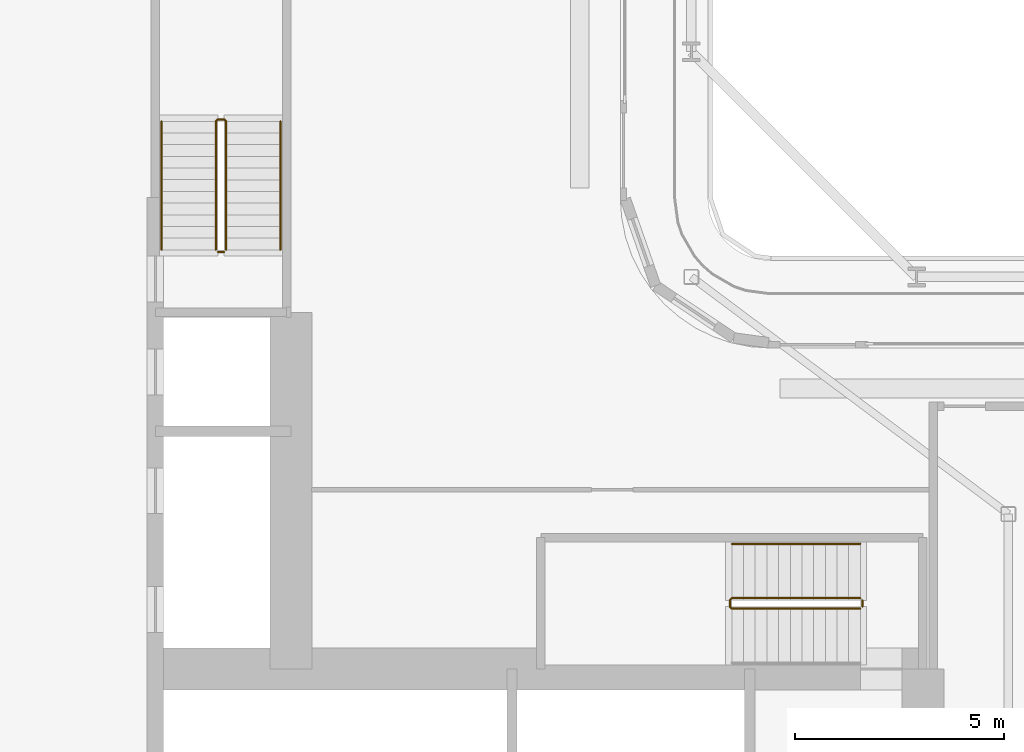
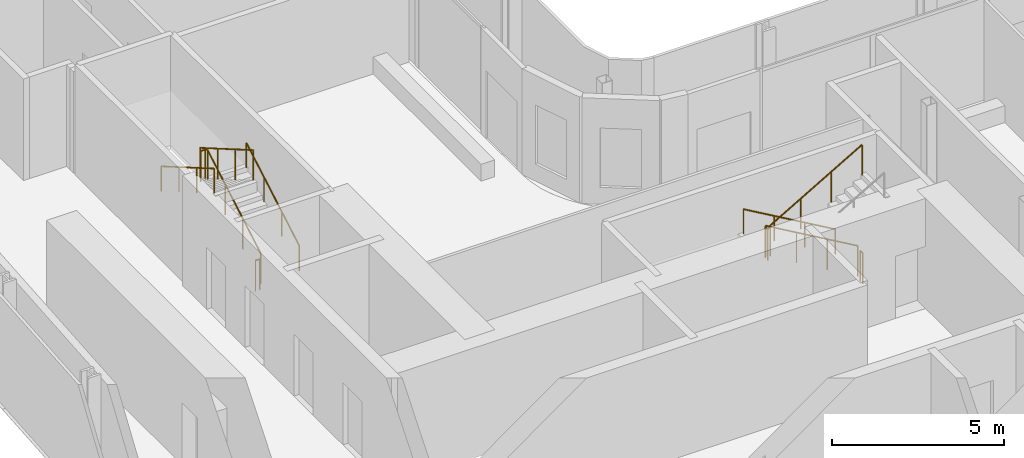
# One storey, part 22 of 27: 7 railings.
"""IFC4 building model written with IfcOpenShell, lengths in metres."""

from ifc_helpers import new_model, si_unit, direction, frame, origin, origin_2d, place, context, subcontext, project, spatial, circle, extrude, material, type_object, element, save


model = new_model("IFC4")

# Units and contexts
model_context = context("Model", 3, precision=1e-05, world=origin(), true_north=direction((0.0, 1.0)))
body_context = subcontext(model_context, "Body", "Model", "MODEL_VIEW")
ifc_project = project(units=[si_unit("LENGTHUNIT", "METRE"), si_unit("AREAUNIT", "SQUARE_METRE"), si_unit("VOLUMEUNIT", "CUBIC_METRE"), si_unit("PLANEANGLEUNIT", "RADIAN"), si_unit("MASSUNIT", "GRAM", prefix="KILO")], contexts=[model_context])

# Site, building, storey
site_placement = place(None, origin())
site = spatial("IfcSite", under=ifc_project, at=site_placement, CompositionType="ELEMENT")
building_placement = place(site_placement, origin())
building = spatial("IfcBuilding", under=site, at=building_placement, Name="Kheshtan School and Residences Tower", CompositionType="ELEMENT")
storey_placement = place(building_placement, frame((0.0, 0.0, 53.89990234375)))
storey = spatial("IfcBuildingStorey", under=building, at=storey_placement, Name="L12", CompositionType="ELEMENT", Elevation=53.89990234375)

# Railings
ifc_material_1 = material(Name="Stainless steel balustrade", Category="steel")
railing_type_1 = type_object("IfcRailingType", Name="Stair guard 1100", PredefinedType="GUARDRAIL", material=ifc_material_1)
railing_1_placement = place(storey_placement, frame((51.64990234375, 37.89990234375, 0.16259765625)))
element("IfcRailing", 1, at=railing_1_placement, inside=storey, type_object=railing_type_1, Name="L12 ST1 stair guard 1", PredefinedType="GUARDRAIL", context=body_context, shape_type="SweptSolid", body=[
    extrude(circle(Radius=0.02392578125, at=origin_2d()), frame((0.0, 0.0, 1.076171875), z_axis=(-0.864873446163, 0.0, 0.501989962173), x_axis=(0.0, -1.0, 0.0)), (0.0, 0.0, 1.0), 3.56103515625),
    extrude(circle(Radius=0.02392578125, at=origin_2d()), frame((-3.079833984375, 0.0, 2.86376953125), z_axis=(-0.708833529934, -0.705375805398, 0.0), x_axis=(0.705375805398, -0.708833529934, 0.0)), (0.0, 0.0, 1.0), 0.070556640625),
    extrude(circle(Radius=0.02392578125, at=origin_2d()), frame((-3.1298828125, -0.0498046875, 2.86376953125), z_axis=(0.0, -1.0, 0.0), x_axis=(1.0, 0.0, 0.0)), (0.0, 0.0, 1.0), 0.150146484375),
    extrude(circle(Radius=0.02392578125, at=origin_2d()), frame((-3.1298828125, -0.199951171875, 2.86376953125), z_axis=(0.282583949758, -0.282583949758, 0.916674763849), x_axis=(0.707106781187, 0.707106781187, 0.0)), (0.0, 0.0, 1.0), 0.177001953125),
    extrude(circle(Radius=0.02392578125, at=origin_2d()), frame((-3.079833984375, -0.25, 3.02587890625), z_axis=(0.864873446163, 0.0, 0.501989962173), x_axis=(0.0, 1.0, 0.0)), (0.0, 0.0, 1.0), 3.56103515625),
    extrude(circle(Radius=0.02099609375, at=origin_2d()), origin(), (0.0, 0.0, 1.0), 1.052001953125),
    extrude(circle(Radius=0.02099609375, at=origin_2d()), frame((-1.026611328125, 0.0, 0.595947265625)), (0.0, 0.0, 1.0), 1.052001953125),
    extrude(circle(Radius=0.02099609375, at=origin_2d()), frame((-2.05322265625, 0.0, 1.191650390625)), (0.0, 0.0, 1.0), 1.052001953125),
    extrude(circle(Radius=0.02099609375, at=origin_2d()), frame((-3.079833984375, 0.0, 1.78759765625)), (0.0, 0.0, 1.0), 1.052001953125),
    extrude(circle(Radius=0.02099609375, at=origin_2d()), frame((-3.1298828125, -0.0498046875, 1.78759765625)), (0.0, 0.0, 1.0), 1.052001953125),
    extrude(circle(Radius=0.02099609375, at=origin_2d()), frame((-3.1298828125, -0.199951171875, 1.78759765625)), (0.0, 0.0, 1.0), 1.052001953125),
    extrude(circle(Radius=0.02099609375, at=origin_2d()), frame((-3.079833984375, -0.25, 1.949951171875)), (0.0, 0.0, 1.0), 1.052001953125),
    extrude(circle(Radius=0.02099609375, at=origin_2d()), frame((-2.05322265625, -0.25, 2.5458984375)), (0.0, 0.0, 1.0), 1.052001953125),
    extrude(circle(Radius=0.02099609375, at=origin_2d()), frame((-1.026611328125, -0.25, 3.1416015625)), (0.0, 0.0, 1.0), 1.052001953125),
    extrude(circle(Radius=0.02099609375, at=origin_2d()), frame((0.0, -0.25, 3.737548828125)), (0.0, 0.0, 1.0), 1.052001953125),
])
railing_2_placement = place(storey_placement, frame((51.699951171875, 37.85009765625, 0.0)))
element("IfcRailing", 2, at=railing_2_placement, inside=storey, type_object=railing_type_1, Name="L12 ST1 stair guard 2", PredefinedType="GUARDRAIL", context=body_context, shape_type="SweptSolid", body=[
    extrude(circle(Radius=0.02392578125, at=origin_2d()), frame((0.0, 0.0, 1.076171875), z_axis=(0.0, -1.0, 0.0), x_axis=(1.0, 0.0, 0.0)), (0.0, 0.0, 1.0), 0.150146484375),
    extrude(circle(Radius=0.02099609375, at=origin_2d()), origin(), (0.0, 0.0, 1.0), 1.052001953125),
    extrude(circle(Radius=0.02099609375, at=origin_2d()), frame((0.0, -0.150146484375, 0.0)), (0.0, 0.0, 1.0), 1.052001953125),
])
railing_3_placement = place(storey_placement, frame((36.449951171875, 46.25, 0.16259765625)))
element("IfcRailing", 3, at=railing_3_placement, inside=storey, type_object=railing_type_1, Name="L12 ST2 stair guard 1", PredefinedType="GUARDRAIL", context=body_context, shape_type="SweptSolid", body=[
    extrude(circle(Radius=0.02392578125, at=origin_2d()), frame((0.0, 0.0, 1.076171875), z_axis=(0.0, 0.864890721111, 0.501960198159), x_axis=(-1.0, 0.0, 0.0)), (0.0, 0.0, 1.0), 3.561279296875),
    extrude(circle(Radius=0.02392578125, at=origin_2d()), frame((0.0, 3.080078125, 2.86376953125), z_axis=(-0.708833529934, 0.705375805398, 0.0), x_axis=(-0.705375805398, -0.708833529934, 0.0)), (0.0, 0.0, 1.0), 0.070556640625),
    extrude(circle(Radius=0.02392578125, at=origin_2d()), frame((-0.050048828125, 3.1298828125, 2.86376953125), z_axis=(-1.0, 0.0, 0.0), x_axis=(0.0, -1.0, 0.0)), (0.0, 0.0, 1.0), 0.14990234375),
    extrude(circle(Radius=0.02392578125, at=origin_2d()), frame((-0.199951171875, 3.1298828125, 2.86376953125), z_axis=(-0.282693820306, -0.281314826061, 0.917031173188), x_axis=(0.705375805398, -0.708833529934, 0.0)), (0.0, 0.0, 1.0), 0.177001953125),
    extrude(circle(Radius=0.02392578125, at=origin_2d()), frame((-0.25, 3.080078125, 3.02587890625), z_axis=(0.0, -0.864890721111, 0.501960198159), x_axis=(1.0, 0.0, 0.0)), (0.0, 0.0, 1.0), 3.561279296875),
    extrude(circle(Radius=0.02099609375, at=origin_2d()), origin(), (0.0, 0.0, 1.0), 1.052001953125),
    extrude(circle(Radius=0.02099609375, at=origin_2d()), frame((0.0, 1.026611328125, 0.595947265625)), (0.0, 0.0, 1.0), 1.052001953125),
    extrude(circle(Radius=0.02099609375, at=origin_2d()), frame((0.0, 2.053466796875, 1.191650390625)), (0.0, 0.0, 1.0), 1.052001953125),
    extrude(circle(Radius=0.02099609375, at=origin_2d()), frame((0.0, 3.080078125, 1.78759765625)), (0.0, 0.0, 1.0), 1.052001953125),
    extrude(circle(Radius=0.02099609375, at=origin_2d()), frame((-0.050048828125, 3.1298828125, 1.78759765625)), (0.0, 0.0, 1.0), 1.052001953125),
    extrude(circle(Radius=0.02099609375, at=origin_2d()), frame((-0.199951171875, 3.1298828125, 1.78759765625)), (0.0, 0.0, 1.0), 1.052001953125),
    extrude(circle(Radius=0.02099609375, at=origin_2d()), frame((-0.25, 3.080078125, 1.949951171875)), (0.0, 0.0, 1.0), 1.052001953125),
    extrude(circle(Radius=0.02099609375, at=origin_2d()), frame((-0.25, 2.053466796875, 2.5458984375)), (0.0, 0.0, 1.0), 1.052001953125),
    extrude(circle(Radius=0.02099609375, at=origin_2d()), frame((-0.25, 1.026611328125, 3.1416015625)), (0.0, 0.0, 1.0), 1.052001953125),
    extrude(circle(Radius=0.02099609375, at=origin_2d()), frame((-0.25, 0.0, 3.737548828125)), (0.0, 0.0, 1.0), 1.052001953125),
])
railing_4_placement = place(storey_placement, frame((36.39990234375, 46.199951171875, 0.0)))
element("IfcRailing", 4, at=railing_4_placement, inside=storey, type_object=railing_type_1, Name="L12 ST2 stair guard 2", PredefinedType="GUARDRAIL", context=body_context, shape_type="SweptSolid", body=[
    extrude(circle(Radius=0.02392578125, at=origin_2d()), frame((0.0, 0.0, 1.076171875), z_axis=(-1.0, 0.0, 0.0), x_axis=(0.0, -1.0, 0.0)), (0.0, 0.0, 1.0), 0.14990234375),
    extrude(circle(Radius=0.02099609375, at=origin_2d()), origin(), (0.0, 0.0, 1.0), 1.052001953125),
    extrude(circle(Radius=0.02099609375, at=origin_2d()), frame((-0.14990234375, 0.0, 0.0)), (0.0, 0.0, 1.0), 1.052001953125),
])
ifc_material_2 = material(Name="Stainless steel handrail", Category="steel")
railing_type_2 = type_object("IfcRailingType", Name="Stair handrail 900", PredefinedType="HANDRAIL", material=ifc_material_2)
railing_5_placement = place(storey_placement, frame((51.64990234375, 39.199951171875, 0.16259765625)))
element("IfcRailing", 5, at=railing_5_placement, inside=storey, type_object=railing_type_2, Name="L12 ST1 stair handrail 1", PredefinedType="HANDRAIL", context=body_context, shape_type="SweptSolid", body=[
    extrude(circle(Radius=0.02392578125, at=origin_2d()), frame((0.0, 0.0, 0.8759765625), z_axis=(-0.864873446163, 0.0, 0.501989962173), x_axis=(0.0, -1.0, 0.0)), (0.0, 0.0, 1.0), 3.56103515625),
    extrude(circle(Radius=0.02099609375, at=origin_2d()), origin(), (0.0, 0.0, 1.0), 0.851806640625),
    extrude(circle(Radius=0.02099609375, at=origin_2d()), frame((-1.026611328125, 0.0, 0.595947265625)), (0.0, 0.0, 1.0), 0.851806640625),
    extrude(circle(Radius=0.02099609375, at=origin_2d()), frame((-2.05322265625, 0.0, 1.191650390625)), (0.0, 0.0, 1.0), 0.851806640625),
    extrude(circle(Radius=0.02099609375, at=origin_2d()), frame((-3.079833984375, 0.0, 1.78759765625)), (0.0, 0.0, 1.0), 0.851806640625),
])
railing_6_placement = place(storey_placement, frame((37.75, 46.25, 0.16259765625)))
element("IfcRailing", 6, at=railing_6_placement, inside=storey, type_object=railing_type_2, Name="L12 ST2 stair handrail 1", PredefinedType="HANDRAIL", context=body_context, shape_type="SweptSolid", body=[
    extrude(circle(Radius=0.02392578125, at=origin_2d()), frame((0.0, 0.0, 0.8759765625), z_axis=(0.0, 0.864890721111, 0.501960198159), x_axis=(-1.0, 0.0, 0.0)), (0.0, 0.0, 1.0), 3.561279296875),
    extrude(circle(Radius=0.02099609375, at=origin_2d()), origin(), (0.0, 0.0, 1.0), 0.851806640625),
    extrude(circle(Radius=0.02099609375, at=origin_2d()), frame((0.0, 1.026611328125, 0.595947265625)), (0.0, 0.0, 1.0), 0.851806640625),
    extrude(circle(Radius=0.02099609375, at=origin_2d()), frame((0.0, 2.053466796875, 1.191650390625)), (0.0, 0.0, 1.0), 0.851806640625),
    extrude(circle(Radius=0.02099609375, at=origin_2d()), frame((0.0, 3.080078125, 1.78759765625)), (0.0, 0.0, 1.0), 0.851806640625),
])
railing_7_placement = place(storey_placement, frame((34.89990234375, 49.330078125, 2.112548828125)))
element("IfcRailing", 7, at=railing_7_placement, inside=storey, type_object=railing_type_2, Name="L12 ST2 stair handrail 2", PredefinedType="HANDRAIL", context=body_context, shape_type="SweptSolid", body=[
    extrude(circle(Radius=0.02392578125, at=origin_2d()), frame((0.0, 0.0, 0.8759765625), z_axis=(0.0, -0.864890721111, 0.501960198159), x_axis=(1.0, 0.0, 0.0)), (0.0, 0.0, 1.0), 3.561279296875),
    extrude(circle(Radius=0.02099609375, at=origin_2d()), origin(), (0.0, 0.0, 1.0), 0.851806640625),
    extrude(circle(Radius=0.02099609375, at=origin_2d()), frame((0.0, -1.026611328125, 0.595947265625)), (0.0, 0.0, 1.0), 0.851806640625),
    extrude(circle(Radius=0.02099609375, at=origin_2d()), frame((0.0, -2.053466796875, 1.191650390625)), (0.0, 0.0, 1.0), 0.851806640625),
    extrude(circle(Radius=0.02099609375, at=origin_2d()), frame((0.0, -3.080078125, 1.78759765625)), (0.0, 0.0, 1.0), 0.851806640625),
])

save(model, "model.ifc")
